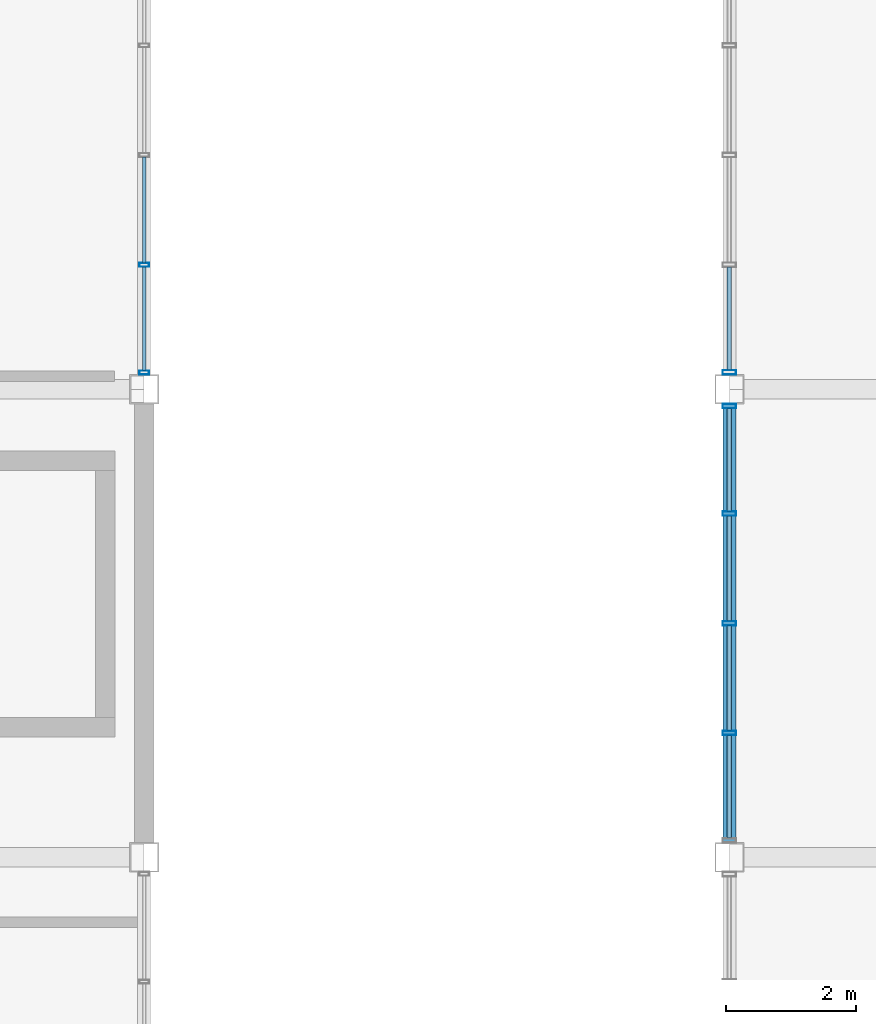
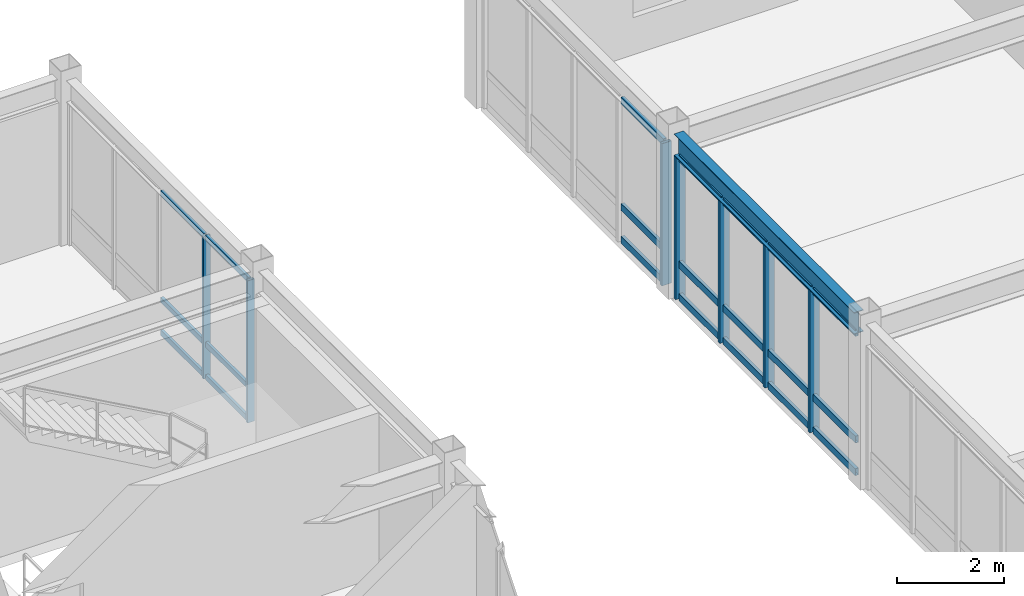
# One storey, part 64 of 122: 28 members, 1 beam, 3 elements without a shape of their own.
"""IFC4 building model written with IfcOpenShell, lengths in metres."""

from ifc_helpers import new_model, si_unit, direction, frame, origin, origin_2d, place, context, subcontext, project, spatial, hollow_rectangle, i_section, extrude, material, material_profile, profile_set, type_object, element, aggregate, save


model = new_model("IFC4")

# Units and contexts
model_context = context("Model", 3, precision=1e-05, world=origin(), true_north=direction((0.0, 1.0)))
body_context = subcontext(model_context, "Body", "Model", "MODEL_VIEW")
ifc_project = project(units=[si_unit("LENGTHUNIT", "METRE"), si_unit("AREAUNIT", "SQUARE_METRE"), si_unit("VOLUMEUNIT", "CUBIC_METRE"), si_unit("PLANEANGLEUNIT", "RADIAN"), si_unit("MASSUNIT", "GRAM", prefix="KILO")], contexts=[model_context])

# Site, building, storey
site_placement = place(None, origin())
site = spatial("IfcSite", under=ifc_project, at=site_placement, CompositionType="ELEMENT")
building_placement = place(site_placement, origin())
building = spatial("IfcBuilding", under=site, at=building_placement, Name="Kazanami Central Library", CompositionType="ELEMENT")
storey_placement = place(building_placement, frame((0.0, 0.0, 4.800048828125)))
storey = spatial("IfcBuildingStorey", under=building, at=storey_placement, Name="L02", CompositionType="ELEMENT", Elevation=4.800048828125)

# Beam
ifc_material_1 = material(Name="Steel SN490B (325 MPa)", Category="steel")
ifc_material_profile_1 = material_profile(ifc_material_1, i_section(OverallWidth=0.199951171875, OverallDepth=0.5, WebThickness=0.010009765625, FlangeThickness=0.01611328125, at=origin_2d()), Name="H-500x200x10x16")
ifc_profile_set_1 = profile_set([ifc_material_profile_1], Name="Steel SN490B (325 MPa)")
beam_type = type_object("IfcBeamType", Name="BM-SP-1", PredefinedType="SPANDREL", material=ifc_profile_set_1)
beam_placement = place(storey_placement, frame((45.0, 79.423095703125, 3.5048828125), z_axis=(0.0, 1.0, 0.0), x_axis=(-1.0, 0.0, 0.0)))
element("IfcBeam", 1, at=beam_placement, inside=storey, type_object=beam_type, Name="Girder SP-1 L02 6/M-N", PredefinedType="SPANDREL", context=body_context, shape_type="SweptSolid", body=[
    extrude(i_section(OverallWidth=0.199951171875, OverallDepth=0.5, WebThickness=0.010009765625, FlangeThickness=0.01611328125, at=origin_2d()), origin(), (0.0, 0.0, 1.0), 6.75390625),
])

# Curtain wall, members
ifc_material_2 = material(Name="Acid-Etched Low-E Laminated Glass", Category="glass")
curtain_wall_type = type_object("IfcCurtainWallType", Name="CW-6750x3255-M180", PredefinedType="USERDEFINED", material=ifc_material_2)
curtain_wall_1_placement = place(storey_placement, origin())
curtain_wall_1 = element("IfcCurtainWall", 2, at=curtain_wall_1_placement, inside=storey, type_object=curtain_wall_type, Name="Covered Link Bridge Curtain Wall CW-21 L02 W-6-11", ObjectType="UNITISED CURTAIN WALL", PredefinedType="USERDEFINED")
ifc_material_3 = material(Name="Anodised Aluminium A6063-T5", Category="aluminium")
ifc_material_profile_2 = material_profile(ifc_material_3, hollow_rectangle(XDim=0.070068359375, YDim=0.2099609375, WallThickness=0.0048828125, at=origin_2d()), Name="ALU-MULL-70x210x5")
ifc_profile_set_2 = profile_set([ifc_material_profile_2], Name="Anodised Aluminium A6063-T5")
member_type_1 = type_object("IfcMemberType", Name="MEM-CW-M1", PredefinedType="MULLION", material=ifc_profile_set_2)
member_1_placement = place(storey_placement, frame((45.0, 81.112548828125, 0.0), z_axis=(0.0, 0.0, 1.0), x_axis=(0.0, 1.0, 0.0)))
member_1 = element("IfcMember", 3, at=member_1_placement, type_object=member_type_1, Name="CW-21 mullion 2", PredefinedType="MULLION", context=body_context, shape_type="SweptSolid", body=[
    extrude(hollow_rectangle(XDim=0.070068359375, YDim=0.2099609375, WallThickness=0.0048828125, at=origin_2d()), origin(), (0.0, 0.0, 1.0), 3.2548828125),
])
member_2_placement = place(storey_placement, frame((45.0, 82.800048828125, 0.0), z_axis=(0.0, 0.0, 1.0), x_axis=(0.0, 1.0, 0.0)))
member_2 = element("IfcMember", 4, at=member_2_placement, type_object=member_type_1, Name="CW-21 mullion 3", PredefinedType="MULLION", context=body_context, shape_type="SweptSolid", body=[
    extrude(hollow_rectangle(XDim=0.070068359375, YDim=0.2099609375, WallThickness=0.0048828125, at=origin_2d()), origin(), (0.0, 0.0, 1.0), 3.2548828125),
])
member_3_placement = place(storey_placement, frame((45.0, 84.487548828125, 0.0), z_axis=(0.0, 0.0, 1.0), x_axis=(0.0, 1.0, 0.0)))
member_3 = element("IfcMember", 5, at=member_3_placement, type_object=member_type_1, Name="CW-21 mullion 4", PredefinedType="MULLION", context=body_context, shape_type="SweptSolid", body=[
    extrude(hollow_rectangle(XDim=0.070068359375, YDim=0.2099609375, WallThickness=0.0048828125, at=origin_2d()), origin(), (0.0, 0.0, 1.0), 3.2548828125),
])
member_4_placement = place(storey_placement, frame((45.0, 86.139892578125, 0.0), z_axis=(0.0, 0.0, 1.0), x_axis=(0.0, 1.0, 0.0)))
member_4 = element("IfcMember", 6, at=member_4_placement, type_object=member_type_1, Name="CW-21 mullion 5", PredefinedType="MULLION", context=body_context, shape_type="SweptSolid", body=[
    extrude(hollow_rectangle(XDim=0.070068359375, YDim=0.2099609375, WallThickness=0.0048828125, at=origin_2d()), origin(), (0.0, 0.0, 1.0), 3.2548828125),
])

# Curtain wall, member
curtain_wall_2_placement = place(storey_placement, origin())
curtain_wall_2 = element("IfcCurtainWall", 7, at=curtain_wall_2_placement, inside=storey, type_object=curtain_wall_type, Name="Covered Link Bridge Curtain Wall CW-21 L02 W-6-12", ObjectType="UNITISED CURTAIN WALL", PredefinedType="USERDEFINED")
member_5_placement = place(storey_placement, frame((45.0, 86.659912109375, 0.0), z_axis=(0.0, 0.0, 1.0), x_axis=(0.0, 1.0, 0.0)))
member_5 = element("IfcMember", 8, at=member_5_placement, type_object=member_type_1, Name="CW-21 mullion 1", PredefinedType="MULLION", context=body_context, shape_type="SweptSolid", body=[
    extrude(hollow_rectangle(XDim=0.070068359375, YDim=0.2099609375, WallThickness=0.0048828125, at=origin_2d()), origin(), (0.0, 0.0, 1.0), 3.2548828125),
])

# Curtain wall, members
curtain_wall_3_placement = place(storey_placement, origin())
curtain_wall_3 = element("IfcCurtainWall", 9, at=curtain_wall_3_placement, inside=storey, type_object=curtain_wall_type, Name="Covered Link Bridge Curtain Wall CW-21 L02 E-5-12", ObjectType="UNITISED CURTAIN WALL", PredefinedType="USERDEFINED")
ifc_material_profile_3 = material_profile(ifc_material_3, hollow_rectangle(XDim=0.06005859375, YDim=0.14990234375, WallThickness=0.00390625, at=origin_2d()), Name="ALU-MULL-60x150x4")
ifc_profile_set_3 = profile_set([ifc_material_profile_3], Name="Anodised Aluminium A6063-T5")
member_type_2 = type_object("IfcMemberType", Name="MEM-CW-M3", PredefinedType="MULLION", material=ifc_profile_set_3)
member_6_placement = place(storey_placement, frame((36.0, 88.3125, 0.0), z_axis=(0.0, 0.0, 1.0), x_axis=(0.0, -1.0, 0.0)))
member_6 = element("IfcMember", 10, at=member_6_placement, type_object=member_type_2, Name="CW-21 mullion 4", PredefinedType="MULLION", context=body_context, shape_type="SweptSolid", body=[
    extrude(hollow_rectangle(XDim=0.06005859375, YDim=0.14990234375, WallThickness=0.00390625, at=origin_2d()), origin(), (0.0, 0.0, 1.0), 3.2548828125),
])
member_7_placement = place(storey_placement, frame((36.0, 86.655029296875, 0.0), z_axis=(0.0, 0.0, 1.0), x_axis=(0.0, -1.0, 0.0)))
member_7 = element("IfcMember", 11, at=member_7_placement, type_object=member_type_2, Name="CW-21 mullion 5", PredefinedType="MULLION", context=body_context, shape_type="SweptSolid", body=[
    extrude(hollow_rectangle(XDim=0.06005859375, YDim=0.14990234375, WallThickness=0.00390625, at=origin_2d()), origin(), (0.0, 0.0, 1.0), 3.2548828125),
])

# Member
ifc_material_profile_4 = material_profile(ifc_material_3, hollow_rectangle(XDim=0.070068359375, YDim=0.159912109375, WallThickness=0.00390625, at=origin_2d()), Name="ALU-TRAN-70x160x4")
ifc_profile_set_4 = profile_set([ifc_material_profile_4], Name="Anodised Aluminium A6063-T5")
member_type_3 = type_object("IfcMemberType", Name="MEM-CW-T1", PredefinedType="USERDEFINED", material=ifc_profile_set_4)
member_8_placement = place(storey_placement, frame((45.0, 79.4951171875, 0.034912109375), z_axis=(0.0, 1.0, 0.0), x_axis=(-1.0, 0.0, 0.0)))
member_8 = element("IfcMember", 12, at=member_8_placement, type_object=member_type_3, Name="CW-21 transom 1.1", ObjectType="TRANSOM", PredefinedType="USERDEFINED", context=body_context, shape_type="SweptSolid", body=[
    extrude(hollow_rectangle(XDim=0.070068359375, YDim=0.159912109375, WallThickness=0.00390625, at=origin_2d()), origin(), (0.0, 0.0, 1.0), 1.582275390625),
])

member_9_placement = place(storey_placement, frame((45.0, 79.4951171875, 0.780029296875), z_axis=(0.0, 1.0, 0.0), x_axis=(-1.0, 0.0, 0.0)))
member_9 = element("IfcMember", 13, at=member_9_placement, type_object=member_type_3, Name="CW-21 transom 1.2", ObjectType="TRANSOM", PredefinedType="USERDEFINED", context=body_context, shape_type="SweptSolid", body=[
    extrude(hollow_rectangle(XDim=0.070068359375, YDim=0.159912109375, WallThickness=0.00390625, at=origin_2d()), origin(), (0.0, 0.0, 1.0), 1.582275390625),
])

member_10_placement = place(storey_placement, frame((45.0, 79.4951171875, 3.219970703125), z_axis=(0.0, 1.0, 0.0), x_axis=(-1.0, 0.0, 0.0)))
member_10 = element("IfcMember", 14, at=member_10_placement, type_object=member_type_3, Name="CW-21 transom 1.3", ObjectType="TRANSOM", PredefinedType="USERDEFINED", context=body_context, shape_type="SweptSolid", body=[
    extrude(hollow_rectangle(XDim=0.070068359375, YDim=0.159912109375, WallThickness=0.00390625, at=origin_2d()), origin(), (0.0, 0.0, 1.0), 1.582275390625),
])

member_11_placement = place(storey_placement, frame((45.0, 81.1474609375, 0.034912109375), z_axis=(0.0, 1.0, 0.0), x_axis=(-1.0, 0.0, 0.0)))
member_11 = element("IfcMember", 15, at=member_11_placement, type_object=member_type_3, Name="CW-21 transom 2.1", ObjectType="TRANSOM", PredefinedType="USERDEFINED", context=body_context, shape_type="SweptSolid", body=[
    extrude(hollow_rectangle(XDim=0.070068359375, YDim=0.159912109375, WallThickness=0.00390625, at=origin_2d()), origin(), (0.0, 0.0, 1.0), 1.617431640625),
])

member_12_placement = place(storey_placement, frame((45.0, 81.1474609375, 0.780029296875), z_axis=(0.0, 1.0, 0.0), x_axis=(-1.0, 0.0, 0.0)))
member_12 = element("IfcMember", 16, at=member_12_placement, type_object=member_type_3, Name="CW-21 transom 2.2", ObjectType="TRANSOM", PredefinedType="USERDEFINED", context=body_context, shape_type="SweptSolid", body=[
    extrude(hollow_rectangle(XDim=0.070068359375, YDim=0.159912109375, WallThickness=0.00390625, at=origin_2d()), origin(), (0.0, 0.0, 1.0), 1.617431640625),
])

member_13_placement = place(storey_placement, frame((45.0, 81.1474609375, 3.219970703125), z_axis=(0.0, 1.0, 0.0), x_axis=(-1.0, 0.0, 0.0)))
member_13 = element("IfcMember", 17, at=member_13_placement, type_object=member_type_3, Name="CW-21 transom 2.3", ObjectType="TRANSOM", PredefinedType="USERDEFINED", context=body_context, shape_type="SweptSolid", body=[
    extrude(hollow_rectangle(XDim=0.070068359375, YDim=0.159912109375, WallThickness=0.00390625, at=origin_2d()), origin(), (0.0, 0.0, 1.0), 1.617431640625),
])

member_14_placement = place(storey_placement, frame((45.0, 82.8349609375, 0.034912109375), z_axis=(0.0, 1.0, 0.0), x_axis=(-1.0, 0.0, 0.0)))
member_14 = element("IfcMember", 18, at=member_14_placement, type_object=member_type_3, Name="CW-21 transom 3.1", ObjectType="TRANSOM", PredefinedType="USERDEFINED", context=body_context, shape_type="SweptSolid", body=[
    extrude(hollow_rectangle(XDim=0.070068359375, YDim=0.159912109375, WallThickness=0.00390625, at=origin_2d()), origin(), (0.0, 0.0, 1.0), 1.617431640625),
])

member_15_placement = place(storey_placement, frame((45.0, 82.8349609375, 0.780029296875), z_axis=(0.0, 1.0, 0.0), x_axis=(-1.0, 0.0, 0.0)))
member_15 = element("IfcMember", 19, at=member_15_placement, type_object=member_type_3, Name="CW-21 transom 3.2", ObjectType="TRANSOM", PredefinedType="USERDEFINED", context=body_context, shape_type="SweptSolid", body=[
    extrude(hollow_rectangle(XDim=0.070068359375, YDim=0.159912109375, WallThickness=0.00390625, at=origin_2d()), origin(), (0.0, 0.0, 1.0), 1.617431640625),
])

member_16_placement = place(storey_placement, frame((45.0, 82.8349609375, 3.219970703125), z_axis=(0.0, 1.0, 0.0), x_axis=(-1.0, 0.0, 0.0)))
member_16 = element("IfcMember", 20, at=member_16_placement, type_object=member_type_3, Name="CW-21 transom 3.3", ObjectType="TRANSOM", PredefinedType="USERDEFINED", context=body_context, shape_type="SweptSolid", body=[
    extrude(hollow_rectangle(XDim=0.070068359375, YDim=0.159912109375, WallThickness=0.00390625, at=origin_2d()), origin(), (0.0, 0.0, 1.0), 1.617431640625),
])

member_17_placement = place(storey_placement, frame((45.0, 84.5224609375, 0.034912109375), z_axis=(0.0, 1.0, 0.0), x_axis=(-1.0, 0.0, 0.0)))
member_17 = element("IfcMember", 21, at=member_17_placement, type_object=member_type_3, Name="CW-21 transom 4.1", ObjectType="TRANSOM", PredefinedType="USERDEFINED", context=body_context, shape_type="SweptSolid", body=[
    extrude(hollow_rectangle(XDim=0.070068359375, YDim=0.159912109375, WallThickness=0.00390625, at=origin_2d()), origin(), (0.0, 0.0, 1.0), 1.58251953125),
])

member_18_placement = place(storey_placement, frame((45.0, 84.5224609375, 0.780029296875), z_axis=(0.0, 1.0, 0.0), x_axis=(-1.0, 0.0, 0.0)))
member_18 = element("IfcMember", 22, at=member_18_placement, type_object=member_type_3, Name="CW-21 transom 4.2", ObjectType="TRANSOM", PredefinedType="USERDEFINED", context=body_context, shape_type="SweptSolid", body=[
    extrude(hollow_rectangle(XDim=0.070068359375, YDim=0.159912109375, WallThickness=0.00390625, at=origin_2d()), origin(), (0.0, 0.0, 1.0), 1.58251953125),
])

member_19_placement = place(storey_placement, frame((45.0, 84.5224609375, 3.219970703125), z_axis=(0.0, 1.0, 0.0), x_axis=(-1.0, 0.0, 0.0)))
member_19 = element("IfcMember", 23, at=member_19_placement, type_object=member_type_3, Name="CW-21 transom 4.3", ObjectType="TRANSOM", PredefinedType="USERDEFINED", context=body_context, shape_type="SweptSolid", body=[
    extrude(hollow_rectangle(XDim=0.070068359375, YDim=0.159912109375, WallThickness=0.00390625, at=origin_2d()), origin(), (0.0, 0.0, 1.0), 1.58251953125),
])

aggregate(curtain_wall_1, [member_1, member_2, member_3, member_4, member_8, member_9, member_10, member_11, member_12, member_13, member_14, member_15, member_16, member_17, member_18, member_19])

member_20_placement = place(storey_placement, frame((45.0, 86.695068359375, 0.034912109375), z_axis=(0.0, 1.0, 0.0), x_axis=(-1.0, 0.0, 0.0)))
member_20 = element("IfcMember", 24, at=member_20_placement, type_object=member_type_3, Name="CW-21 transom 1.1", ObjectType="TRANSOM", PredefinedType="USERDEFINED", context=body_context, shape_type="SweptSolid", body=[
    extrude(hollow_rectangle(XDim=0.070068359375, YDim=0.159912109375, WallThickness=0.00390625, at=origin_2d()), origin(), (0.0, 0.0, 1.0), 1.58251953125),
])

member_21_placement = place(storey_placement, frame((45.0, 86.695068359375, 0.780029296875), z_axis=(0.0, 1.0, 0.0), x_axis=(-1.0, 0.0, 0.0)))
member_21 = element("IfcMember", 25, at=member_21_placement, type_object=member_type_3, Name="CW-21 transom 1.2", ObjectType="TRANSOM", PredefinedType="USERDEFINED", context=body_context, shape_type="SweptSolid", body=[
    extrude(hollow_rectangle(XDim=0.070068359375, YDim=0.159912109375, WallThickness=0.00390625, at=origin_2d()), origin(), (0.0, 0.0, 1.0), 1.58251953125),
])

member_22_placement = place(storey_placement, frame((45.0, 86.695068359375, 3.219970703125), z_axis=(0.0, 1.0, 0.0), x_axis=(-1.0, 0.0, 0.0)))
member_22 = element("IfcMember", 26, at=member_22_placement, type_object=member_type_3, Name="CW-21 transom 1.3", ObjectType="TRANSOM", PredefinedType="USERDEFINED", context=body_context, shape_type="SweptSolid", body=[
    extrude(hollow_rectangle(XDim=0.070068359375, YDim=0.159912109375, WallThickness=0.00390625, at=origin_2d()), origin(), (0.0, 0.0, 1.0), 1.58251953125),
])

aggregate(curtain_wall_2, [member_5, member_20, member_21, member_22])

ifc_material_profile_5 = material_profile(ifc_material_3, hollow_rectangle(XDim=0.06005859375, YDim=0.1201171875, WallThickness=0.00341796875, at=origin_2d()), Name="ALU-TRAN-60x120x3.5")
ifc_profile_set_5 = profile_set([ifc_material_profile_5], Name="Anodised Aluminium A6063-T5")
member_type_4 = type_object("IfcMemberType", Name="MEM-CW-T3", PredefinedType="USERDEFINED", material=ifc_profile_set_5)
member_23_placement = place(storey_placement, frame((36.0, 89.969970703125, 0.030029296875), z_axis=(0.0, -1.0, 0.0), x_axis=(1.0, 0.0, 0.0)))
member_23 = element("IfcMember", 27, at=member_23_placement, type_object=member_type_4, Name="CW-21 transom 3.1", ObjectType="TRANSOM", PredefinedType="USERDEFINED", context=body_context, shape_type="SweptSolid", body=[
    extrude(hollow_rectangle(XDim=0.06005859375, YDim=0.1201171875, WallThickness=0.00341796875, at=origin_2d()), origin(), (0.0, 0.0, 1.0), 1.62744140625),
])

member_24_placement = place(storey_placement, frame((36.0, 89.969970703125, 0.780029296875), z_axis=(0.0, -1.0, 0.0), x_axis=(1.0, 0.0, 0.0)))
member_24 = element("IfcMember", 28, at=member_24_placement, type_object=member_type_4, Name="CW-21 transom 3.2", ObjectType="TRANSOM", PredefinedType="USERDEFINED", context=body_context, shape_type="SweptSolid", body=[
    extrude(hollow_rectangle(XDim=0.06005859375, YDim=0.1201171875, WallThickness=0.00341796875, at=origin_2d()), origin(), (0.0, 0.0, 1.0), 1.62744140625),
])

member_25_placement = place(storey_placement, frame((36.0, 89.969970703125, 3.224853515625), z_axis=(0.0, -1.0, 0.0), x_axis=(1.0, 0.0, 0.0)))
member_25 = element("IfcMember", 29, at=member_25_placement, type_object=member_type_4, Name="CW-21 transom 3.3", ObjectType="TRANSOM", PredefinedType="USERDEFINED", context=body_context, shape_type="SweptSolid", body=[
    extrude(hollow_rectangle(XDim=0.06005859375, YDim=0.1201171875, WallThickness=0.00341796875, at=origin_2d()), origin(), (0.0, 0.0, 1.0), 1.62744140625),
])

member_26_placement = place(storey_placement, frame((36.0, 88.282470703125, 0.030029296875), z_axis=(0.0, -1.0, 0.0), x_axis=(1.0, 0.0, 0.0)))
member_26 = element("IfcMember", 30, at=member_26_placement, type_object=member_type_4, Name="CW-21 transom 4.1", ObjectType="TRANSOM", PredefinedType="USERDEFINED", context=body_context, shape_type="SweptSolid", body=[
    extrude(hollow_rectangle(XDim=0.06005859375, YDim=0.1201171875, WallThickness=0.00341796875, at=origin_2d()), origin(), (0.0, 0.0, 1.0), 1.597412109375),
])

member_27_placement = place(storey_placement, frame((36.0, 88.282470703125, 0.780029296875), z_axis=(0.0, -1.0, 0.0), x_axis=(1.0, 0.0, 0.0)))
member_27 = element("IfcMember", 31, at=member_27_placement, type_object=member_type_4, Name="CW-21 transom 4.2", ObjectType="TRANSOM", PredefinedType="USERDEFINED", context=body_context, shape_type="SweptSolid", body=[
    extrude(hollow_rectangle(XDim=0.06005859375, YDim=0.1201171875, WallThickness=0.00341796875, at=origin_2d()), origin(), (0.0, 0.0, 1.0), 1.597412109375),
])

member_28_placement = place(storey_placement, frame((36.0, 88.282470703125, 3.224853515625), z_axis=(0.0, -1.0, 0.0), x_axis=(1.0, 0.0, 0.0)))
member_28 = element("IfcMember", 32, at=member_28_placement, type_object=member_type_4, Name="CW-21 transom 4.3", ObjectType="TRANSOM", PredefinedType="USERDEFINED", context=body_context, shape_type="SweptSolid", body=[
    extrude(hollow_rectangle(XDim=0.06005859375, YDim=0.1201171875, WallThickness=0.00341796875, at=origin_2d()), origin(), (0.0, 0.0, 1.0), 1.597412109375),
])

aggregate(curtain_wall_3, [member_6, member_7, member_23, member_24, member_25, member_26, member_27, member_28])

save(model, "model.ifc")
